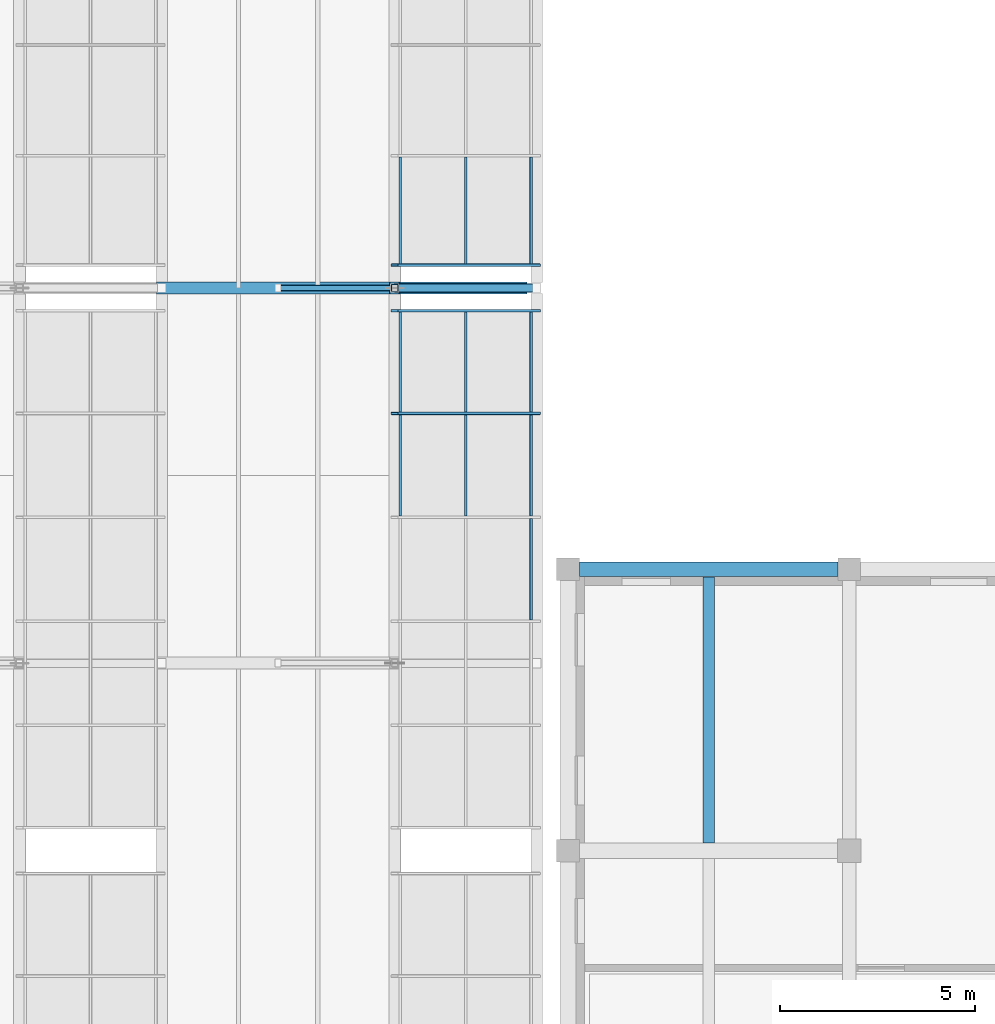
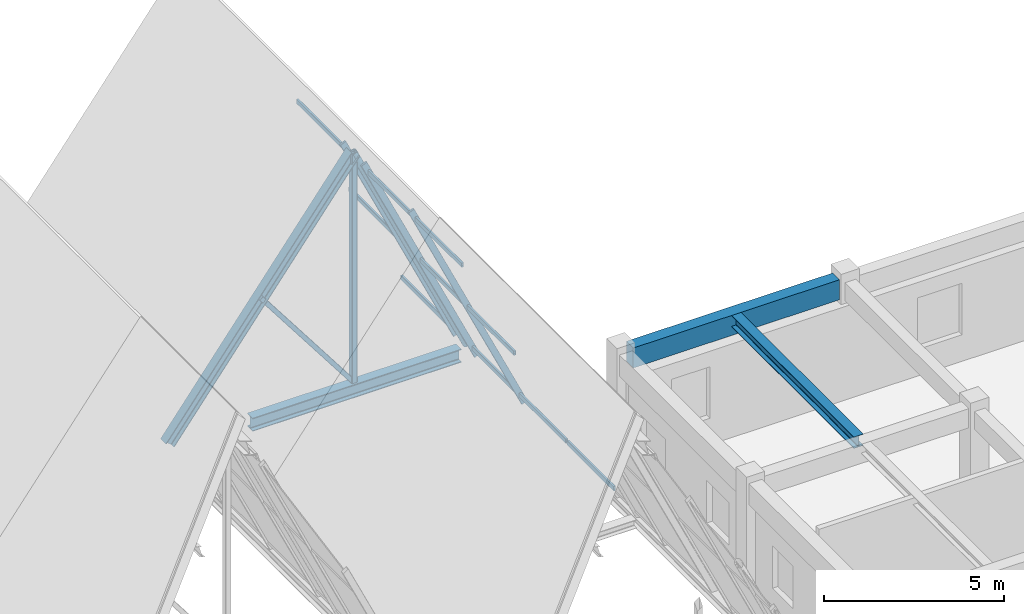
# One storey, part 24 of 99: 17 members, 3 beams, 2 elements without a shape of their own.
"""IFC4 building model written with IfcOpenShell, lengths in metres."""

from ifc_helpers import new_model, si_unit, direction, frame, origin, origin_2d, place, context, subcontext, project, spatial, rectangle, hollow_rectangle, hollow_circle, i_section, extrude, material, material_profile, profile_set, type_object, element, aggregate, save


model = new_model("IFC4")

# Units and contexts
model_context = context("Model", 3, precision=1e-05, world=origin(), true_north=direction((0.0, 1.0)))
body_context = subcontext(model_context, "Body", "Model", "MODEL_VIEW")
ifc_project = project(units=[si_unit("LENGTHUNIT", "METRE"), si_unit("AREAUNIT", "SQUARE_METRE"), si_unit("VOLUMEUNIT", "CUBIC_METRE"), si_unit("PLANEANGLEUNIT", "RADIAN"), si_unit("MASSUNIT", "GRAM", prefix="KILO")], contexts=[model_context])

# Site, building, storey
site_placement = place(None, origin())
site = spatial("IfcSite", under=ifc_project, at=site_placement, CompositionType="ELEMENT")
building_placement = place(site_placement, origin())
building = spatial("IfcBuilding", under=site, at=building_placement, Name="Bramveld Media Centre", CompositionType="ELEMENT")
storey_placement = place(building_placement, frame((0.0, 0.0, 13.800048828125)))
storey = spatial("IfcBuildingStorey", under=building, at=storey_placement, Name="L03", CompositionType="ELEMENT", Elevation=13.800048828125)

# Curtain wall, members
ifc_material_1 = material(Name="Thermally broken anodized bronze aluminium unitized curtain wall with solar-control triple glazing", Category="aluminium")
curtain_wall_type_1 = type_object("IfcCurtainWallType", Name="CW-SAW-13300x8606", PredefinedType="NOTDEFINED", material=ifc_material_1)
curtain_wall_1_placement = place(storey_placement, origin())
curtain_wall_1 = element("IfcCurtainWall", 1, at=curtain_wall_1_placement, inside=storey, type_object=curtain_wall_type_1, Name="V2 sawtooth north-light clerestory B6-S2", PredefinedType="NOTDEFINED")
ifc_material_2 = material(Name="Thermally broken anodized bronze aluminium EN AW-6063 T6 curtain-wall framing", Category="aluminium")
ifc_material_profile_1 = material_profile(ifc_material_2, hollow_rectangle(XDim=0.070068359375, YDim=0.199951171875, WallThickness=0.00439453125, InnerFilletRadius=0.00439453125, OuterFilletRadius=0.009033203125, at=origin_2d()), Name="AL-MULL 70x200")
ifc_profile_set_1 = profile_set([ifc_material_profile_1], Name="Thermally broken anodized bronze aluminium EN AW-6063 T6 curtain-wall framing")
member_type_1 = type_object("IfcMemberType", Name="CW-MULL-SLP", PredefinedType="MULLION", material=ifc_profile_set_1)
member_1_placement = place(storey_placement, frame((57.60009765625, 25.590087890625, -0.02001953125), z_axis=(-0.423956992265, 0.0, 0.90568232218), x_axis=(0.0, -1.0, 0.0)))
member_1 = element("IfcMember", 2, at=member_1_placement, type_object=member_type_1, Name="CW-SA-13386 sloped mullion 5", PredefinedType="MULLION", context=body_context, shape_type="SweptSolid", body=[
    extrude(hollow_rectangle(XDim=0.070068359375, YDim=0.199951171875, WallThickness=0.00439453125, InnerFilletRadius=0.00439453125, OuterFilletRadius=0.009033203125, at=origin_2d()), origin(), (0.0, 0.0, 1.0), 8.5791015625),
])
member_2_placement = place(storey_placement, frame((57.60009765625, 28.215087890625, -0.02001953125), z_axis=(-0.423956992265, 0.0, 0.90568232218), x_axis=(0.0, -1.0, 0.0)))
member_2 = element("IfcMember", 3, at=member_2_placement, type_object=member_type_1, Name="CW-SA-13386 sloped mullion 6", PredefinedType="MULLION", context=body_context, shape_type="SweptSolid", body=[
    extrude(hollow_rectangle(XDim=0.070068359375, YDim=0.199951171875, WallThickness=0.00439453125, InnerFilletRadius=0.00439453125, OuterFilletRadius=0.009033203125, at=origin_2d()), origin(), (0.0, 0.0, 1.0), 8.5791015625),
])

# Curtain wall, member
ifc_material_3 = material(Name="Thermally broken anodized bronze aluminium unitized curtain wall with solar-control triple glazing", Category="aluminium")
curtain_wall_type_2 = type_object("IfcCurtainWallType", Name="CW-SAW-8500x8606", PredefinedType="NOTDEFINED", material=ifc_material_3)
curtain_wall_2_placement = place(storey_placement, origin())
curtain_wall_2 = element("IfcCurtainWall", 4, at=curtain_wall_2_placement, inside=storey, type_object=curtain_wall_type_2, Name="V2 sawtooth north-light clerestory B6-S3", PredefinedType="NOTDEFINED")
member_3_placement = place(storey_placement, frame((57.60009765625, 29.385009765625, -0.02001953125), z_axis=(-0.423956992265, 0.0, 0.90568232218), x_axis=(0.0, -1.0, 0.0)))
member_3 = element("IfcMember", 5, at=member_3_placement, type_object=member_type_1, Name="CW-SA-8586 sloped mullion 1", PredefinedType="MULLION", context=body_context, shape_type="SweptSolid", body=[
    extrude(hollow_rectangle(XDim=0.070068359375, YDim=0.199951171875, WallThickness=0.00439453125, InnerFilletRadius=0.00439453125, OuterFilletRadius=0.009033203125, at=origin_2d()), origin(), (0.0, 0.0, 1.0), 8.5791015625),
])

# Member
ifc_material_4 = material(Name="Thermally broken anodized bronze aluminium EN AW-6063 T6 curtain-wall framing", Category="aluminium")
ifc_material_profile_2 = material_profile(ifc_material_4, hollow_rectangle(XDim=0.070068359375, YDim=0.14990234375, WallThickness=0.00390625, InnerFilletRadius=0.00390625, OuterFilletRadius=0.008056640625, at=origin_2d()), Name="AL-TRAN 70x150")
ifc_profile_set_2 = profile_set([ifc_material_profile_2], Name="Thermally broken anodized bronze aluminium EN AW-6063 T6 curtain-wall framing")
member_type_2 = type_object("IfcMemberType", Name="CW-TRAN-SLP", PredefinedType="USERDEFINED", material=ifc_profile_set_2)
member_4_placement = place(storey_placement, frame((57.45458984375, 20.304931640625, 0.290771484375), z_axis=(0.0, 1.0, 0.0), x_axis=(-1.0, 0.0, 0.0)))
member_4 = element("IfcMember", 6, at=member_4_placement, type_object=member_type_2, Name="CW-SA-13386 transom 3.1", ObjectType="TRANSOM", PredefinedType="USERDEFINED", context=body_context, shape_type="SweptSolid", body=[
    extrude(hollow_rectangle(XDim=0.070068359375, YDim=0.14990234375, WallThickness=0.00390625, InnerFilletRadius=0.00390625, OuterFilletRadius=0.008056640625, at=origin_2d()), origin(), (0.0, 0.0, 1.0), 2.590087890625),
])

member_5_placement = place(storey_placement, frame((57.45458984375, 22.965087890625, 0.290771484375), z_axis=(0.0, 1.0, 0.0), x_axis=(-1.0, 0.0, 0.0)))
member_5 = element("IfcMember", 7, at=member_5_placement, type_object=member_type_2, Name="CW-SA-13386 transom 4.1", ObjectType="TRANSOM", PredefinedType="USERDEFINED", context=body_context, shape_type="SweptSolid", body=[
    extrude(hollow_rectangle(XDim=0.070068359375, YDim=0.14990234375, WallThickness=0.00390625, InnerFilletRadius=0.00390625, OuterFilletRadius=0.008056640625, at=origin_2d()), origin(), (0.0, 0.0, 1.0), 2.58984375),
])

member_6_placement = place(storey_placement, frame((55.781494140625, 22.965087890625, 3.864990234375), z_axis=(0.0, 1.0, 0.0), x_axis=(-1.0, 0.0, 0.0)))
member_6 = element("IfcMember", 8, at=member_6_placement, type_object=member_type_2, Name="CW-SA-13386 transom 4.2", ObjectType="TRANSOM", PredefinedType="USERDEFINED", context=body_context, shape_type="SweptSolid", body=[
    extrude(hollow_rectangle(XDim=0.070068359375, YDim=0.14990234375, WallThickness=0.00390625, InnerFilletRadius=0.00390625, OuterFilletRadius=0.008056640625, at=origin_2d()), origin(), (0.0, 0.0, 1.0), 2.58984375),
])

member_7_placement = place(storey_placement, frame((54.1083984375, 22.965087890625, 7.439208984375), z_axis=(0.0, 1.0, 0.0), x_axis=(-1.0, 0.0, 0.0)))
member_7 = element("IfcMember", 9, at=member_7_placement, type_object=member_type_2, Name="CW-SA-13386 transom 4.3", ObjectType="TRANSOM", PredefinedType="USERDEFINED", context=body_context, shape_type="SweptSolid", body=[
    extrude(hollow_rectangle(XDim=0.070068359375, YDim=0.14990234375, WallThickness=0.00390625, InnerFilletRadius=0.00390625, OuterFilletRadius=0.008056640625, at=origin_2d()), origin(), (0.0, 0.0, 1.0), 2.58984375),
])

member_8_placement = place(storey_placement, frame((57.45458984375, 25.625, 0.290771484375), z_axis=(0.0, 1.0, 0.0), x_axis=(-1.0, 0.0, 0.0)))
member_8 = element("IfcMember", 10, at=member_8_placement, type_object=member_type_2, Name="CW-SA-13386 transom 5.1", ObjectType="TRANSOM", PredefinedType="USERDEFINED", context=body_context, shape_type="SweptSolid", body=[
    extrude(hollow_rectangle(XDim=0.070068359375, YDim=0.14990234375, WallThickness=0.00390625, InnerFilletRadius=0.00390625, OuterFilletRadius=0.008056640625, at=origin_2d()), origin(), (0.0, 0.0, 1.0), 2.554931640625),
])

member_9_placement = place(storey_placement, frame((55.781494140625, 25.625, 3.864990234375), z_axis=(0.0, 1.0, 0.0), x_axis=(-1.0, 0.0, 0.0)))
member_9 = element("IfcMember", 11, at=member_9_placement, type_object=member_type_2, Name="CW-SA-13386 transom 5.2", ObjectType="TRANSOM", PredefinedType="USERDEFINED", context=body_context, shape_type="SweptSolid", body=[
    extrude(hollow_rectangle(XDim=0.070068359375, YDim=0.14990234375, WallThickness=0.00390625, InnerFilletRadius=0.00390625, OuterFilletRadius=0.008056640625, at=origin_2d()), origin(), (0.0, 0.0, 1.0), 2.554931640625),
])

member_10_placement = place(storey_placement, frame((54.1083984375, 25.625, 7.439208984375), z_axis=(0.0, 1.0, 0.0), x_axis=(-1.0, 0.0, 0.0)))
member_10 = element("IfcMember", 12, at=member_10_placement, type_object=member_type_2, Name="CW-SA-13386 transom 5.3", ObjectType="TRANSOM", PredefinedType="USERDEFINED", context=body_context, shape_type="SweptSolid", body=[
    extrude(hollow_rectangle(XDim=0.070068359375, YDim=0.14990234375, WallThickness=0.00390625, InnerFilletRadius=0.00390625, OuterFilletRadius=0.008056640625, at=origin_2d()), origin(), (0.0, 0.0, 1.0), 2.554931640625),
])

aggregate(curtain_wall_1, [member_1, member_2, member_4, member_5, member_6, member_7, member_8, member_9, member_10])

member_11_placement = place(storey_placement, frame((57.45458984375, 29.419921875, 0.290771484375), z_axis=(0.0, 1.0, 0.0), x_axis=(-1.0, 0.0, 0.0)))
member_11 = element("IfcMember", 13, at=member_11_placement, type_object=member_type_2, Name="CW-SA-8586 transom 1.1", ObjectType="TRANSOM", PredefinedType="USERDEFINED", context=body_context, shape_type="SweptSolid", body=[
    extrude(hollow_rectangle(XDim=0.070068359375, YDim=0.14990234375, WallThickness=0.00390625, InnerFilletRadius=0.00390625, OuterFilletRadius=0.008056640625, at=origin_2d()), origin(), (0.0, 0.0, 1.0), 2.728271484375),
])

member_12_placement = place(storey_placement, frame((55.781494140625, 29.419921875, 3.864990234375), z_axis=(0.0, 1.0, 0.0), x_axis=(-1.0, 0.0, 0.0)))
member_12 = element("IfcMember", 14, at=member_12_placement, type_object=member_type_2, Name="CW-SA-8586 transom 1.2", ObjectType="TRANSOM", PredefinedType="USERDEFINED", context=body_context, shape_type="SweptSolid", body=[
    extrude(hollow_rectangle(XDim=0.070068359375, YDim=0.14990234375, WallThickness=0.00390625, InnerFilletRadius=0.00390625, OuterFilletRadius=0.008056640625, at=origin_2d()), origin(), (0.0, 0.0, 1.0), 2.728271484375),
])

member_13_placement = place(storey_placement, frame((54.1083984375, 29.419921875, 7.439208984375), z_axis=(0.0, 1.0, 0.0), x_axis=(-1.0, 0.0, 0.0)))
member_13 = element("IfcMember", 15, at=member_13_placement, type_object=member_type_2, Name="CW-SA-8586 transom 1.3", ObjectType="TRANSOM", PredefinedType="USERDEFINED", context=body_context, shape_type="SweptSolid", body=[
    extrude(hollow_rectangle(XDim=0.070068359375, YDim=0.14990234375, WallThickness=0.00390625, InnerFilletRadius=0.00390625, OuterFilletRadius=0.008056640625, at=origin_2d()), origin(), (0.0, 0.0, 1.0), 2.728271484375),
])

aggregate(curtain_wall_2, [member_3, member_11, member_12, member_13])

# Members
ifc_material_5 = material(Name="Steel S355J2H", Category="steel")
ifc_material_profile_3 = material_profile(ifc_material_5, hollow_circle(Radius=0.109619140625, WallThickness=0.012451171875, at=origin_2d()), Name="CHS 219.1x12.5")
ifc_profile_set_3 = profile_set([ifc_material_profile_3], Name="Steel S355J2H")
member_type_3 = type_object("IfcMemberType", Name="MEM-BRACE-CHS219", PredefinedType="BRACE", material=ifc_profile_set_3)
member_14_placement = place(storey_placement, frame((57.60009765625, 28.800048828125, 0.0), z_axis=(-0.422616785161, 0.0, 0.906308475575), x_axis=(0.0, -1.0, 0.0)))
element("IfcMember", 16, at=member_14_placement, inside=storey, type_object=member_type_3, Name="TRUSS-V2-B06-F4 north-light strut", PredefinedType="BRACE", context=body_context, shape_type="SweptSolid", body=[
    extrude(hollow_circle(Radius=0.109619140625, WallThickness=0.012451171875, at=origin_2d()), origin(), (0.0, 0.0, 1.0), 8.6064453125),
])
ifc_material_6 = material(Name="Steel S355J2H", Category="steel")
ifc_material_profile_4 = material_profile(ifc_material_6, hollow_rectangle(XDim=0.14990234375, YDim=0.14990234375, WallThickness=0.010009765625, InnerFilletRadius=0.010009765625, OuterFilletRadius=0.02001953125, at=origin_2d()), Name="SHS 150x150x10")
ifc_profile_set_4 = profile_set([ifc_material_profile_4], Name="Steel S355J2H")
member_type_4 = type_object("IfcMemberType", Name="MEM-BRACE-SHS150", PredefinedType="BRACE", material=ifc_profile_set_4)
member_15_placement = place(storey_placement, frame((53.962890625, 28.800048828125, 0.0), z_axis=(-0.607343034298, 0.0, 0.794439701104), x_axis=(0.0, -1.0, 0.0)))
element("IfcMember", 17, at=member_15_placement, inside=storey, type_object=member_type_4, Name="TRUSS-V2-B06-F4 web diagonal", PredefinedType="BRACE", context=body_context, shape_type="SweptSolid", body=[
    extrude(hollow_rectangle(XDim=0.14990234375, YDim=0.14990234375, WallThickness=0.010009765625, InnerFilletRadius=0.010009765625, OuterFilletRadius=0.02001953125, at=origin_2d()), origin(), (0.0, 0.0, 1.0), 4.908935546875),
])
ifc_material_7 = material(Name="Steel S355J2", Category="steel")
ifc_material_profile_5 = material_profile(ifc_material_7, i_section(OverallWidth=0.300048828125, OverallDepth=0.340087890625, WebThickness=0.011962890625, FlangeThickness=0.021484375, FilletRadius=0.027099609375, at=origin_2d()), Name="HEB 340")
ifc_profile_set_5 = profile_set([ifc_material_profile_5], Name="Steel S355J2")
member_type_5 = type_object("IfcMemberType", Name="MEM-CHORD-HEB340", PredefinedType="CHORD", material=ifc_profile_set_5)
member_16_placement = place(storey_placement, frame((48.0, 28.800048828125, 0.0), z_axis=(0.607331036372, 0.0, 0.794448873282), x_axis=(0.0, 1.0, 0.0)))
element("IfcMember", 18, at=member_16_placement, inside=storey, type_object=member_type_5, Name="TRUSS-V2-B06-F4 top rafter chord", PredefinedType="CHORD", context=body_context, shape_type="SweptSolid", body=[
    extrude(i_section(OverallWidth=0.300048828125, OverallDepth=0.340087890625, WebThickness=0.011962890625, FlangeThickness=0.021484375, FilletRadius=0.027099609375, at=origin_2d()), origin(), (0.0, 0.0, 1.0), 9.818115234375),
])
ifc_material_8 = material(Name="Steel S355J2H", Category="steel")
ifc_material_profile_6 = material_profile(ifc_material_8, hollow_rectangle(XDim=0.179931640625, YDim=0.179931640625, WallThickness=0.010009765625, InnerFilletRadius=0.010009765625, OuterFilletRadius=0.02001953125, at=origin_2d()), Name="SHS 180x180x10")
ifc_profile_set_6 = profile_set([ifc_material_profile_6], Name="Steel S355J2H")
member_type_6 = type_object("IfcMemberType", Name="MEM-POST-SHS180", PredefinedType="POST", material=ifc_profile_set_6)
member_17_placement = place(storey_placement, frame((53.962890625, 28.800048828125, 0.0), z_axis=(0.0, 0.0, 1.0), x_axis=(1.0, 0.0, 0.0)))
element("IfcMember", 19, at=member_17_placement, inside=storey, type_object=member_type_6, Name="TRUSS-V2-B06-F4 kingpost", PredefinedType="POST", context=body_context, shape_type="SweptSolid", body=[
    extrude(hollow_rectangle(XDim=0.179931640625, YDim=0.179931640625, WallThickness=0.010009765625, InnerFilletRadius=0.010009765625, OuterFilletRadius=0.02001953125, at=origin_2d()), origin(), (0.0, 0.0, 1.0), 7.800048828125),
])

# Beams
ifc_material_9 = material(Name="Steel S355J2", Category="steel")
ifc_material_profile_7 = material_profile(ifc_material_9, i_section(OverallWidth=0.300048828125, OverallDepth=0.389892578125, WebThickness=0.010986328125, FlangeThickness=0.01904296875, FilletRadius=0.027099609375, at=origin_2d()), Name="HEA 400")
ifc_profile_set_7 = profile_set([ifc_material_profile_7], Name="Steel S355J2")
beam_type_1 = type_object("IfcBeamType", Name="SBM-INT-HEA-400", PredefinedType="BEAM", material=ifc_profile_set_7)
beam_1_placement = place(storey_placement, frame((62.0, 14.60009765625, 3.764892578125), z_axis=(0.0, 1.0, 0.0), x_axis=(-1.0, 0.0, 0.0)))
element("IfcBeam", 20, at=beam_1_placement, inside=storey, type_object=beam_type_1, Name="V5 L03 secondary floor joist 865", PredefinedType="BEAM", context=body_context, shape_type="SweptSolid", body=[
    extrude(i_section(OverallWidth=0.300048828125, OverallDepth=0.389892578125, WebThickness=0.010986328125, FlangeThickness=0.01904296875, FilletRadius=0.027099609375, at=origin_2d()), origin(), (0.0, 0.0, 1.0), 6.809814453125),
])
ifc_material_10 = material(Name="Steel S355J2", Category="steel")
ifc_material_profile_8 = material_profile(ifc_material_10, i_section(OverallWidth=0.300048828125, OverallDepth=0.449951171875, WebThickness=0.013916015625, FlangeThickness=0.02587890625, FilletRadius=0.027099609375, at=origin_2d()), Name="HEB 450")
ifc_profile_set_8 = profile_set([ifc_material_profile_8], Name="Steel S355J2")
beam_type_2 = type_object("IfcBeamType", Name="SBM-INT-HEB-450", PredefinedType="BEAM", material=ifc_profile_set_8)
beam_2_placement = place(storey_placement, frame((50.64990234375, 28.800048828125, -0.22509765625), z_axis=(1.0, 0.0, 0.0), x_axis=(0.0, 1.0, 0.0)))
element("IfcBeam", 21, at=beam_2_placement, inside=storey, type_object=beam_type_2, Name="V2 sawtooth tie girder", PredefinedType="BEAM", context=body_context, shape_type="SweptSolid", body=[
    extrude(i_section(OverallWidth=0.300048828125, OverallDepth=0.449951171875, WebThickness=0.013916015625, FlangeThickness=0.02587890625, FilletRadius=0.027099609375, at=origin_2d()), origin(), (0.0, 0.0, 1.0), 6.7001953125),
])
ifc_material_11 = material(Name="Concrete C40/50", Category="concrete")
ifc_material_profile_9 = material_profile(ifc_material_11, rectangle(XDim=0.3798828125, YDim=0.679931640625, at=origin_2d()), Name="RC 380x680")
ifc_profile_set_9 = profile_set([ifc_material_profile_9], Name="Concrete C40/50")
beam_type_3 = type_object("IfcBeamType", Name="SPANDREL-EXT-RC-380x680", PredefinedType="SPANDREL", material=ifc_profile_set_9)
beam_3_placement = place(storey_placement, frame((58.68994140625, 21.60009765625, 3.619873046875), z_axis=(1.0, 0.0, 0.0), x_axis=(0.0, 1.0, 0.0)))
element("IfcBeam", 22, at=beam_3_placement, inside=storey, type_object=beam_type_3, Name="V5 L03 girder X-842", PredefinedType="SPANDREL", context=body_context, shape_type="SweptSolid", body=[
    extrude(rectangle(XDim=0.3798828125, YDim=0.679931640625, at=origin_2d()), origin(), (0.0, 0.0, 1.0), 6.6201171875),
])

save(model, "model.ifc")
